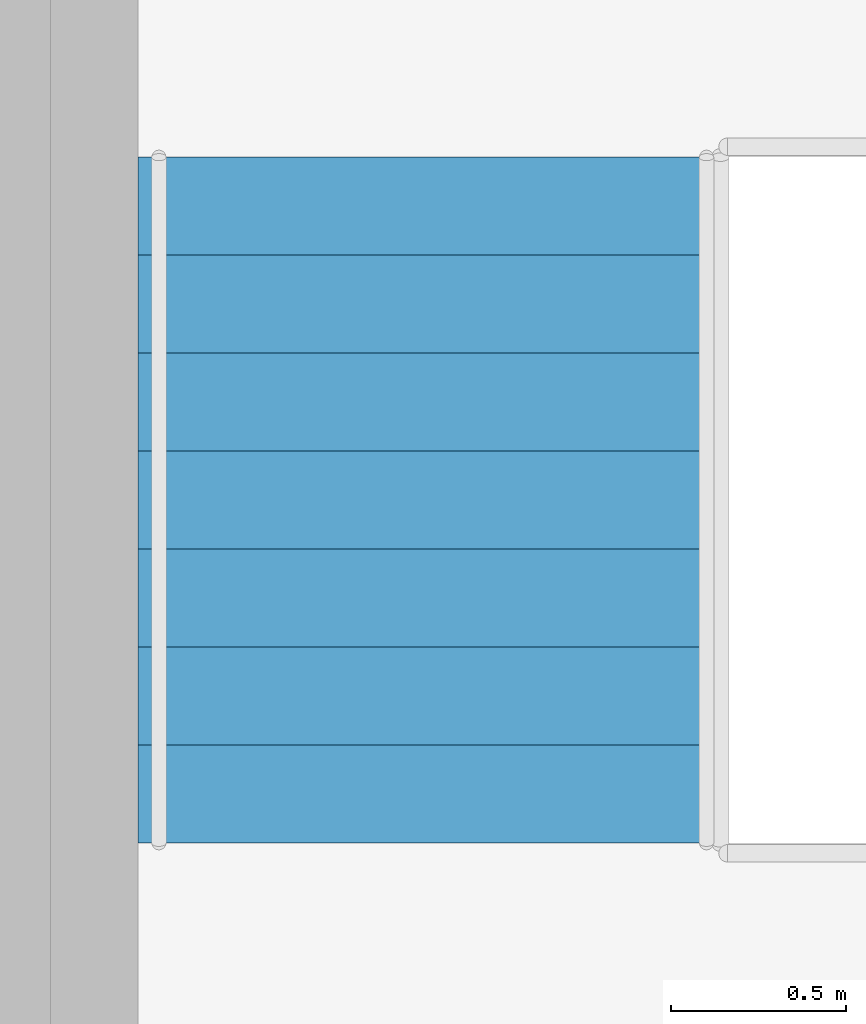
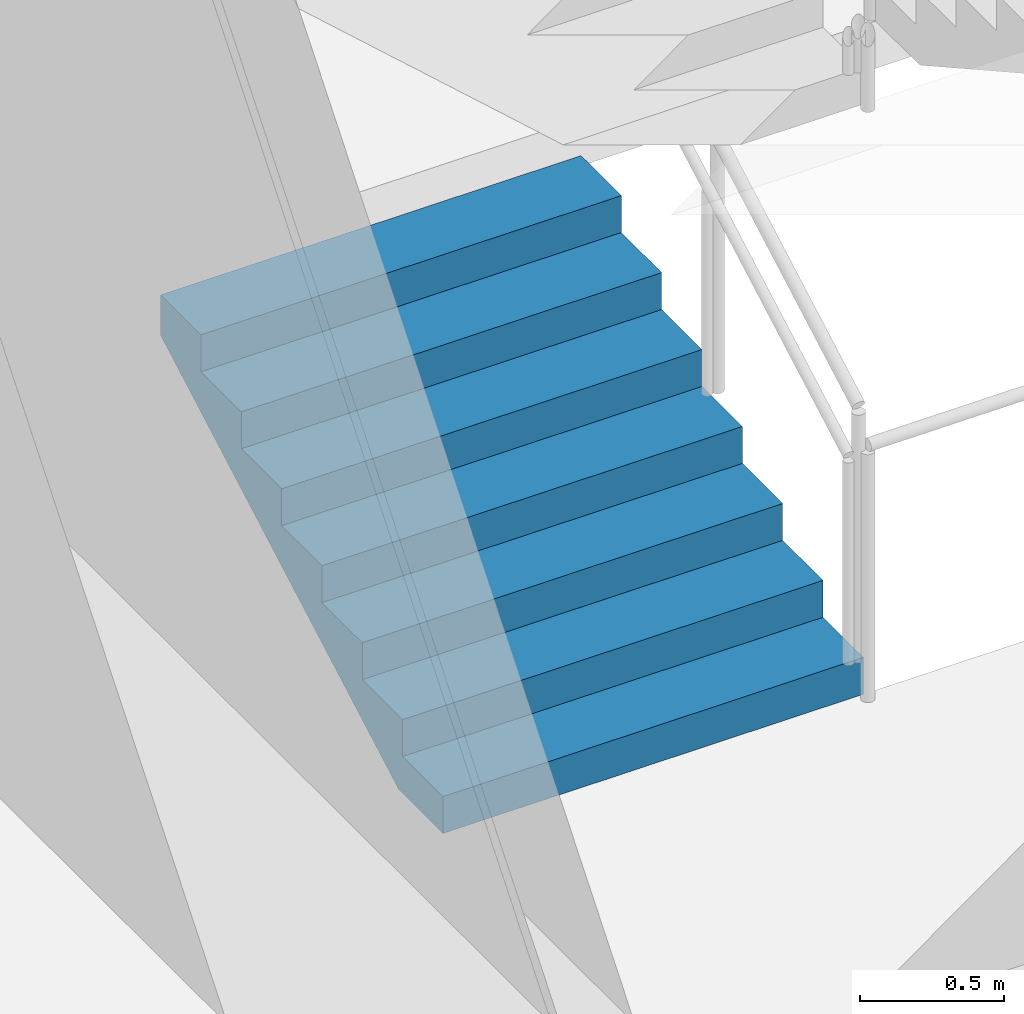
# One storey, part 32 of 37: 1 stair flight, 1 element without a shape of its own.
"""IFC4 building model written with IfcOpenShell, lengths in metres."""

from ifc_helpers import new_model, si_unit, direction, frame, origin, place, context, subcontext, project, spatial, triangles, material, type_object, element, aggregate, save


model = new_model("IFC4")

# Units and contexts
model_context = context("Model", 3, precision=1e-05, world=origin(), true_north=direction((0.0, 1.0)))
body_context = subcontext(model_context, "Body", "Model", "MODEL_VIEW")
ifc_project = project(units=[si_unit("LENGTHUNIT", "METRE"), si_unit("AREAUNIT", "SQUARE_METRE"), si_unit("VOLUMEUNIT", "CUBIC_METRE"), si_unit("PLANEANGLEUNIT", "RADIAN"), si_unit("MASSUNIT", "GRAM", prefix="KILO")], contexts=[model_context])

# Site, building, storey
site_placement = place(None, origin())
site = spatial("IfcSite", under=ifc_project, at=site_placement, CompositionType="ELEMENT")
building_placement = place(site_placement, origin())
building = spatial("IfcBuilding", under=site, at=building_placement, Name="Orbita Commons", CompositionType="ELEMENT")
storey_placement = place(building_placement, frame((0.0, 0.0, 6.0)))
storey = spatial("IfcBuildingStorey", under=building, at=storey_placement, Name="L01", CompositionType="ELEMENT", Elevation=6.0)

# Stair, stair flight
ifc_material_1 = material(Name="Precast concrete C40/50", Category="concrete")
stair_type = type_object("IfcStairType", Name="Podium exit stair 4 flights 8 risers 156", PredefinedType="HALF_TURN_STAIR", material=ifc_material_1)
stair_placement = place(storey_placement, origin())
stair = element("IfcStair", 1, at=stair_placement, inside=storey, type_object=stair_type, Name="Podium exit stair PS2 L01", PredefinedType="HALF_TURN_STAIR")
ifc_material_2 = material(Name="Precast concrete C40/50", Category="concrete")
stair_flight_type = type_object("IfcStairFlightType", Name="Podium stair flight 8 risers 156 x 1685", PredefinedType="STRAIGHT", material=ifc_material_2)
stair_flight_placement = place(storey_placement, frame((73.5673828125, 29.820068359375, 0.0), z_axis=(0.0, 0.0, 1.0), x_axis=(0.0, 1.0, 0.0)))
stair_flight = element("IfcStairFlight", 2, at=stair_flight_placement, type_object=stair_flight_type, Name="PS2 flight 1", NumberOfRisers=8, NumberOfTreads=7, PredefinedType="STRAIGHT", RiserHeight=0.15625, TreadLength=0.28, context=body_context, shape_type="Tessellation", body=[
    triangles([(0.0, 0.842529, 0.0), (0.0, 0.842529, 0.019531), (0.0, 0.702108, 0.019531), (0.0, 0.702108, 0.0), (0.0, 0.561686, 0.019531), (0.0, 0.561686, 0.0), (0.0, 0.421265, 0.019531), (0.0, 0.421265, 0.0), (0.0, 0.280843, 0.019531), (0.0, 0.280843, 0.0), (0.0, 0.140422, 0.019531), (0.0, 0.140422, 0.0), (0.0, 0.0, 0.019531), (0.0, 0.0, 0.0), (0.0, -0.140422, 0.019531), (0.0, -0.140422, 0.0), (0.0, -0.280843, 0.019531), (0.0, -0.280843, 0.0), (0.0, -0.421265, 0.019531), (0.0, -0.421265, 0.0), (0.0, -0.561686, 0.019531), (0.0, -0.561686, 0.0), (0.0, -0.702108, 0.019531), (0.0, -0.702108, 0.0), (0.0, -0.842529, 0.019531), (0.0, -0.842529, 0.0), (0.0, 0.842529, 0.039062), (0.0, 0.702108, 0.039062), (0.0, 0.561686, 0.039062), (0.0, 0.421265, 0.039062), (0.0, 0.280843, 0.039062), (0.0, 0.140422, 0.039062), (0.0, 0.0, 0.039062), (0.0, -0.140422, 0.039062), (0.0, -0.280843, 0.039062), (0.0, -0.421265, 0.039062), (0.0, -0.561686, 0.039062), (0.0, -0.702108, 0.039062), (0.0, -0.842529, 0.039062), (0.0, 0.842529, 0.058594), (0.0, 0.702108, 0.058594), (0.0, 0.561686, 0.058594), (0.0, 0.421265, 0.058594), (0.0, 0.280843, 0.058594), (0.0, 0.140422, 0.058594), (0.0, 0.0, 0.058594), (0.0, -0.140422, 0.058594), (0.0, -0.280843, 0.058594), (0.0, -0.421265, 0.058594), (0.0, -0.561686, 0.058594), (0.0, -0.702108, 0.058594), (0.0, -0.842529, 0.058594), (0.0, 0.842529, 0.078125), (0.0, 0.702108, 0.078125), (0.0, 0.561686, 0.078125), (0.0, 0.421265, 0.078125), (0.0, 0.280843, 0.078125), (0.0, 0.140422, 0.078125), (0.0, 0.0, 0.078125), (0.0, -0.140422, 0.078125), (0.0, -0.280843, 0.078125), (0.0, -0.421265, 0.078125), (0.0, -0.561686, 0.078125), (0.0, -0.702108, 0.078125), (0.0, -0.842529, 0.078125), (0.0, 0.842529, 0.097656), (0.0, 0.702108, 0.097656), (0.0, 0.561686, 0.097656), (0.0, 0.421265, 0.097656), (0.0, 0.280843, 0.097656), (0.0, 0.140422, 0.097656), (0.0, 0.0, 0.097656), (0.0, -0.140422, 0.097656), (0.0, -0.280843, 0.097656), (0.0, -0.421265, 0.097656), (0.0, -0.561686, 0.097656), (0.0, -0.702108, 0.097656), (0.0, -0.842529, 0.097656), (0.0, 0.842529, 0.117188), (0.0, 0.702108, 0.117188), (0.0, 0.561686, 0.117188), (0.0, 0.421265, 0.117188), (0.0, 0.280843, 0.117188), (0.0, 0.140422, 0.117188), (0.0, 0.0, 0.117188), (0.0, -0.140422, 0.117188), (0.0, -0.280843, 0.117188), (0.0, -0.421265, 0.117188), (0.0, -0.561686, 0.117188), (0.0, -0.702108, 0.117188), (0.0, -0.842529, 0.117188), (0.0, 0.842529, 0.136719), (0.0, 0.702108, 0.136719), (0.0, 0.561686, 0.136719), (0.0, 0.421265, 0.136719), (0.0, 0.280843, 0.136719), (0.0, 0.140422, 0.136719), (0.0, 0.0, 0.136719), (0.0, -0.140422, 0.136719), (0.0, -0.280843, 0.136719), (0.0, -0.421265, 0.136719), (0.0, -0.561686, 0.136719), (0.0, -0.702108, 0.136719), (0.0, -0.842529, 0.136719), (0.0, 0.842529, 0.15625), (0.0, 0.702108, 0.15625), (0.0, 0.561686, 0.15625), (0.0, 0.421265, 0.15625), (0.0, 0.280843, 0.15625), (0.0, 0.140422, 0.15625), (0.0, 0.0, 0.15625), (0.0, -0.140422, 0.15625), (0.0, -0.280843, 0.15625), (0.0, -0.421265, 0.15625), (0.0, -0.561686, 0.15625), (0.0, -0.702108, 0.15625), (0.0, -0.842529, 0.15625), (0.28, 0.842529, 0.15625), (0.28, 0.702108, 0.15625), (0.28, 0.561686, 0.15625), (0.28, 0.421265, 0.15625), (0.28, 0.280843, 0.15625), (0.28, 0.140422, 0.15625), (0.28, 0.0, 0.15625), (0.28, -0.140422, 0.15625), (0.28, -0.280843, 0.15625), (0.28, -0.421265, 0.15625), (0.28, -0.561686, 0.15625), (0.28, -0.702108, 0.15625), (0.28, -0.842529, 0.15625), (0.28, 0.842529, 0.3125), (0.28, 0.702108, 0.3125), (0.28, 0.561686, 0.3125), (0.28, 0.421265, 0.3125), (0.28, 0.280843, 0.3125), (0.28, 0.140422, 0.3125), (0.28, 0.0, 0.3125), (0.28, -0.140422, 0.3125), (0.28, -0.280843, 0.3125), (0.28, -0.421265, 0.3125), (0.28, -0.561686, 0.3125), (0.28, -0.702108, 0.3125), (0.28, -0.842529, 0.3125), (0.56, 0.842529, 0.3125), (0.56, 0.702108, 0.3125), (0.56, 0.561686, 0.3125), (0.56, 0.421265, 0.3125), (0.56, 0.280843, 0.3125), (0.56, 0.140422, 0.3125), (0.56, 0.0, 0.3125), (0.56, -0.140422, 0.3125), (0.56, -0.280843, 0.3125), (0.56, -0.421265, 0.3125), (0.56, -0.561686, 0.3125), (0.56, -0.702108, 0.3125), (0.56, -0.842529, 0.3125), (0.56, 0.842529, 0.46875), (0.56, 0.702108, 0.46875), (0.56, 0.561686, 0.46875), (0.56, 0.421265, 0.46875), (0.56, 0.280843, 0.46875), (0.56, 0.140422, 0.46875), (0.56, 0.0, 0.46875), (0.56, -0.140422, 0.46875), (0.56, -0.280843, 0.46875), (0.56, -0.421265, 0.46875), (0.56, -0.561686, 0.46875), (0.56, -0.702108, 0.46875), (0.56, -0.842529, 0.46875), (0.84, 0.842529, 0.46875), (0.84, 0.702108, 0.46875), (0.84, 0.561686, 0.46875), (0.84, 0.421265, 0.46875), (0.84, 0.280843, 0.46875), (0.84, 0.140422, 0.46875), (0.84, 0.0, 0.46875), (0.84, -0.140422, 0.46875), (0.84, -0.280843, 0.46875), (0.84, -0.421265, 0.46875), (0.84, -0.561686, 0.46875), (0.84, -0.702108, 0.46875), (0.84, -0.842529, 0.46875), (0.84, 0.842529, 0.625), (0.84, 0.702108, 0.625), (0.84, 0.561686, 0.625), (0.84, 0.421265, 0.625), (0.84, 0.280843, 0.625), (0.84, 0.140422, 0.625), (0.84, 0.0, 0.625), (0.84, -0.140422, 0.625), (0.84, -0.280843, 0.625), (0.84, -0.421265, 0.625), (0.84, -0.561686, 0.625), (0.84, -0.702108, 0.625), (0.84, -0.842529, 0.625), (1.12, 0.842529, 0.625), (1.12, 0.702108, 0.625), (1.12, 0.561686, 0.625), (1.12, 0.421265, 0.625), (1.12, 0.280843, 0.625), (1.12, 0.140422, 0.625), (1.12, 0.0, 0.625), (1.12, -0.140422, 0.625), (1.12, -0.280843, 0.625), (1.12, -0.421265, 0.625), (1.12, -0.561686, 0.625), (1.12, -0.702108, 0.625), (1.12, -0.842529, 0.625), (1.12, 0.842529, 0.78125), (1.12, 0.702108, 0.78125), (1.12, 0.561686, 0.78125), (1.12, 0.421265, 0.78125), (1.12, 0.280843, 0.78125), (1.12, 0.140422, 0.78125), (1.12, 0.0, 0.78125), (1.12, -0.140422, 0.78125), (1.12, -0.280843, 0.78125), (1.12, -0.421265, 0.78125), (1.12, -0.561686, 0.78125), (1.12, -0.702108, 0.78125), (1.12, -0.842529, 0.78125), (1.4, 0.842529, 0.78125), (1.4, 0.702108, 0.78125), (1.4, 0.561686, 0.78125), (1.4, 0.421265, 0.78125), (1.4, 0.280843, 0.78125), (1.4, 0.140422, 0.78125), (1.4, 0.0, 0.78125), (1.4, -0.140422, 0.78125), (1.4, -0.280843, 0.78125), (1.4, -0.421265, 0.78125), (1.4, -0.561686, 0.78125), (1.4, -0.702108, 0.78125), (1.4, -0.842529, 0.78125), (1.4, 0.842529, 0.9375), (1.4, 0.702108, 0.9375), (1.4, 0.561686, 0.9375), (1.4, 0.421265, 0.9375), (1.4, 0.280843, 0.9375), (1.4, 0.140422, 0.9375), (1.4, 0.0, 0.9375), (1.4, -0.140422, 0.9375), (1.4, -0.280843, 0.9375), (1.4, -0.421265, 0.9375), (1.4, -0.561686, 0.9375), (1.4, -0.702108, 0.9375), (1.4, -0.842529, 0.9375), (1.68, 0.842529, 0.9375), (1.68, 0.702108, 0.9375), (1.68, 0.561686, 0.9375), (1.68, 0.421265, 0.9375), (1.68, 0.280843, 0.9375), (1.68, 0.140422, 0.9375), (1.68, 0.0, 0.9375), (1.68, -0.140422, 0.9375), (1.68, -0.280843, 0.9375), (1.68, -0.421265, 0.9375), (1.68, -0.561686, 0.9375), (1.68, -0.702108, 0.9375), (1.68, -0.842529, 0.9375), (1.68, 0.842529, 1.09375), (1.68, 0.702108, 1.09375), (1.68, 0.561686, 1.09375), (1.68, 0.421265, 1.09375), (1.68, 0.280843, 1.09375), (1.68, 0.140422, 1.09375), (1.68, 0.0, 1.09375), (1.68, -0.140422, 1.09375), (1.68, -0.280843, 1.09375), (1.68, -0.421265, 1.09375), (1.68, -0.561686, 1.09375), (1.68, -0.702108, 1.09375), (1.68, -0.842529, 1.09375), (1.96, 0.842529, 1.09375), (1.96, 0.702108, 1.09375), (1.96, 0.561686, 1.09375), (1.96, 0.421265, 1.09375), (1.96, 0.280843, 1.09375), (1.96, 0.140422, 1.09375), (1.96, 0.0, 1.09375), (1.96, -0.140422, 1.09375), (1.96, -0.280843, 1.09375), (1.96, -0.421265, 1.09375), (1.96, -0.561686, 1.09375), (1.96, -0.702108, 1.09375), (1.96, -0.842529, 1.09375), (1.96, 0.842529, 1.072292), (1.96, 0.702108, 1.072292), (1.96, 0.561686, 1.072292), (1.96, 0.421265, 1.072292), (1.96, 0.280843, 1.072292), (1.96, 0.140422, 1.072292), (1.96, 0.0, 1.072292), (1.96, -0.140422, 1.072292), (1.96, -0.280843, 1.072292), (1.96, -0.421265, 1.072292), (1.96, -0.561686, 1.072292), (1.96, -0.702108, 1.072292), (1.96, -0.842529, 1.072292), (1.96, 0.842529, 1.050834), (1.96, 0.702108, 1.050834), (1.96, 0.561686, 1.050834), (1.96, 0.421265, 1.050834), (1.96, 0.280843, 1.050834), (1.96, 0.140422, 1.050834), (1.96, 0.0, 1.050834), (1.96, -0.140422, 1.050834), (1.96, -0.280843, 1.050834), (1.96, -0.421265, 1.050834), (1.96, -0.561686, 1.050834), (1.96, -0.702108, 1.050834), (1.96, -0.842529, 1.050834), (1.96, 0.842529, 1.029376), (1.96, 0.702108, 1.029376), (1.96, 0.561686, 1.029376), (1.96, 0.421265, 1.029376), (1.96, 0.280843, 1.029376), (1.96, 0.140422, 1.029376), (1.96, 0.0, 1.029376), (1.96, -0.140422, 1.029376), (1.96, -0.280843, 1.029376), (1.96, -0.421265, 1.029376), (1.96, -0.561686, 1.029376), (1.96, -0.702108, 1.029376), (1.96, -0.842529, 1.029376), (1.96, 0.842529, 1.007919), (1.96, 0.702108, 1.007919), (1.96, 0.561686, 1.007919), (1.96, 0.421265, 1.007919), (1.96, 0.280843, 1.007919), (1.96, 0.140422, 1.007919), (1.96, 0.0, 1.007919), (1.96, -0.140422, 1.007919), (1.96, -0.280843, 1.007919), (1.96, -0.421265, 1.007919), (1.96, -0.561686, 1.007919), (1.96, -0.702108, 1.007919), (1.96, -0.842529, 1.007919), (1.96, 0.842529, 0.986461), (1.96, 0.702108, 0.986461), (1.96, 0.561686, 0.986461), (1.96, 0.421265, 0.986461), (1.96, 0.280843, 0.986461), (1.96, 0.140422, 0.986461), (1.96, 0.0, 0.986461), (1.96, -0.140422, 0.986461), (1.96, -0.280843, 0.986461), (1.96, -0.421265, 0.986461), (1.96, -0.561686, 0.986461), (1.96, -0.702108, 0.986461), (1.96, -0.842529, 0.986461), (1.96, 0.842529, 0.965003), (1.96, 0.702108, 0.965003), (1.96, 0.561686, 0.965003), (1.96, 0.421265, 0.965003), (1.96, 0.280843, 0.965003), (1.96, 0.140422, 0.965003), (1.96, 0.0, 0.965003), (1.96, -0.140422, 0.965003), (1.96, -0.280843, 0.965003), (1.96, -0.421265, 0.965003), (1.96, -0.561686, 0.965003), (1.96, -0.702108, 0.965003), (1.96, -0.842529, 0.965003), (1.96, 0.842529, 0.943545), (1.96, 0.702108, 0.943545), (1.96, 0.561686, 0.943545), (1.96, 0.421265, 0.943545), (1.96, 0.280843, 0.943545), (1.96, 0.140422, 0.943545), (1.96, 0.0, 0.943545), (1.96, -0.140422, 0.943545), (1.96, -0.280843, 0.943545), (1.96, -0.421265, 0.943545), (1.96, -0.561686, 0.943545), (1.96, -0.702108, 0.943545), (1.96, -0.842529, 0.943545), (1.96, 0.842529, 0.922087), (1.96, 0.702108, 0.922087), (1.96, 0.561686, 0.922087), (1.96, 0.421265, 0.922087), (1.96, 0.280843, 0.922087), (1.96, 0.140422, 0.922087), (1.96, 0.0, 0.922087), (1.96, -0.140422, 0.922087), (1.96, -0.280843, 0.922087), (1.96, -0.421265, 0.922087), (1.96, -0.561686, 0.922087), (1.96, -0.702108, 0.922087), (1.96, -0.842529, 0.922087), (0.30762, 0.842529, 0.0), (0.30762, 0.702108, 0.0), (0.30762, 0.561686, 0.0), (0.30762, 0.421265, 0.0), (0.30762, 0.280843, 0.0), (0.30762, 0.140422, 0.0), (0.30762, 0.0, 0.0), (0.30762, -0.140422, 0.0), (0.30762, -0.280843, 0.0), (0.30762, -0.421265, 0.0), (0.30762, -0.561686, 0.0), (0.30762, -0.702108, 0.0), (0.30762, -0.842529, 0.0)], [[3, 2, 1], [4, 3, 1], [5, 3, 4], [6, 5, 4], [7, 5, 6], [8, 7, 6], [9, 7, 8], [10, 9, 8], [11, 9, 10], [12, 11, 10], [13, 11, 12], [14, 13, 12], [15, 13, 14], [16, 15, 14], [17, 15, 16], [18, 17, 16], [19, 17, 18], [20, 19, 18], [21, 19, 20], [22, 21, 20], [23, 21, 22], [24, 23, 22], [25, 23, 24], [26, 25, 24], [28, 27, 2], [3, 28, 2], [29, 28, 3], [5, 29, 3], [30, 29, 5], [7, 30, 5], [31, 30, 7], [9, 31, 7], [32, 31, 9], [11, 32, 9], [33, 32, 11], [13, 33, 11], [34, 33, 13], [15, 34, 13], [35, 34, 15], [17, 35, 15], [36, 35, 17], [19, 36, 17], [37, 36, 19], [21, 37, 19], [38, 37, 21], [23, 38, 21], [39, 38, 23], [25, 39, 23], [41, 40, 27], [28, 41, 27], [42, 41, 28], [29, 42, 28], [43, 42, 29], [30, 43, 29], [44, 43, 30], [31, 44, 30], [45, 44, 31], [32, 45, 31], [46, 45, 32], [33, 46, 32], [47, 46, 33], [34, 47, 33], [48, 47, 34], [35, 48, 34], [49, 48, 35], [36, 49, 35], [50, 49, 36], [37, 50, 36], [51, 50, 37], [38, 51, 37], [52, 51, 38], [39, 52, 38], [54, 53, 40], [41, 54, 40], [55, 54, 41], [42, 55, 41], [56, 55, 42], [43, 56, 42], [57, 56, 43], [44, 57, 43], [58, 57, 44], [45, 58, 44], [59, 58, 45], [46, 59, 45], [60, 59, 46], [47, 60, 46], [61, 60, 47], [48, 61, 47], [62, 61, 48], [49, 62, 48], [63, 62, 49], [50, 63, 49], [64, 63, 50], [51, 64, 50], [65, 64, 51], [52, 65, 51], [67, 66, 53], [54, 67, 53], [68, 67, 54], [55, 68, 54], [69, 68, 55], [56, 69, 55], [70, 69, 56], [57, 70, 56], [71, 70, 57], [58, 71, 57], [72, 71, 58], [59, 72, 58], [73, 72, 59], [60, 73, 59], [74, 73, 60], [61, 74, 60], [75, 74, 61], [62, 75, 61], [76, 75, 62], [63, 76, 62], [77, 76, 63], [64, 77, 63], [78, 77, 64], [65, 78, 64], [80, 79, 66], [67, 80, 66], [81, 80, 67], [68, 81, 67], [82, 81, 68], [69, 82, 68], [83, 82, 69], [70, 83, 69], [84, 83, 70], [71, 84, 70], [85, 84, 71], [72, 85, 71], [86, 85, 72], [73, 86, 72], [87, 86, 73], [74, 87, 73], [88, 87, 74], [75, 88, 74], [89, 88, 75], [76, 89, 75], [90, 89, 76], [77, 90, 76], [91, 90, 77], [78, 91, 77], [93, 92, 79], [80, 93, 79], [94, 93, 80], [81, 94, 80], [95, 94, 81], [82, 95, 81], [96, 95, 82], [83, 96, 82], [97, 96, 83], [84, 97, 83], [98, 97, 84], [85, 98, 84], [99, 98, 85], [86, 99, 85], [100, 99, 86], [87, 100, 86], [101, 100, 87], [88, 101, 87], [102, 101, 88], [89, 102, 88], [103, 102, 89], [90, 103, 89], [104, 103, 90], [91, 104, 90], [106, 105, 92], [93, 106, 92], [107, 106, 93], [94, 107, 93], [108, 107, 94], [95, 108, 94], [109, 108, 95], [96, 109, 95], [110, 109, 96], [97, 110, 96], [111, 110, 97], [98, 111, 97], [112, 111, 98], [99, 112, 98], [113, 112, 99], [100, 113, 99], [114, 113, 100], [101, 114, 100], [115, 114, 101], [102, 115, 101], [116, 115, 102], [103, 116, 102], [117, 116, 103], [104, 117, 103], [119, 118, 105], [106, 119, 105], [120, 119, 106], [107, 120, 106], [121, 120, 107], [108, 121, 107], [122, 121, 108], [109, 122, 108], [123, 122, 109], [110, 123, 109], [124, 123, 110], [111, 124, 110], [125, 124, 111], [112, 125, 111], [126, 125, 112], [113, 126, 112], [127, 126, 113], [114, 127, 113], [128, 127, 114], [115, 128, 114], [129, 128, 115], [116, 129, 115], [130, 129, 116], [117, 130, 116], [132, 131, 118], [119, 132, 118], [133, 132, 119], [120, 133, 119], [134, 133, 120], [121, 134, 120], [135, 134, 121], [122, 135, 121], [136, 135, 122], [123, 136, 122], [137, 136, 123], [124, 137, 123], [138, 137, 124], [125, 138, 124], [139, 138, 125], [126, 139, 125], [140, 139, 126], [127, 140, 126], [141, 140, 127], [128, 141, 127], [142, 141, 128], [129, 142, 128], [143, 142, 129], [130, 143, 129], [145, 144, 131], [132, 145, 131], [146, 145, 132], [133, 146, 132], [147, 146, 133], [134, 147, 133], [148, 147, 134], [135, 148, 134], [149, 148, 135], [136, 149, 135], [150, 149, 136], [137, 150, 136], [151, 150, 137], [138, 151, 137], [152, 151, 138], [139, 152, 138], [153, 152, 139], [140, 153, 139], [154, 153, 140], [141, 154, 140], [155, 154, 141], [142, 155, 141], [156, 155, 142], [143, 156, 142], [158, 157, 144], [145, 158, 144], [159, 158, 145], [146, 159, 145], [160, 159, 146], [147, 160, 146], [161, 160, 147], [148, 161, 147], [162, 161, 148], [149, 162, 148], [163, 162, 149], [150, 163, 149], [164, 163, 150], [151, 164, 150], [165, 164, 151], [152, 165, 151], [166, 165, 152], [153, 166, 152], [167, 166, 153], [154, 167, 153], [168, 167, 154], [155, 168, 154], [169, 168, 155], [156, 169, 155], [171, 170, 157], [158, 171, 157], [172, 171, 158], [159, 172, 158], [173, 172, 159], [160, 173, 159], [174, 173, 160], [161, 174, 160], [175, 174, 161], [162, 175, 161], [176, 175, 162], [163, 176, 162], [177, 176, 163], [164, 177, 163], [178, 177, 164], [165, 178, 164], [179, 178, 165], [166, 179, 165], [180, 179, 166], [167, 180, 166], [181, 180, 167], [168, 181, 167], [182, 181, 168], [169, 182, 168], [184, 183, 170], [171, 184, 170], [185, 184, 171], [172, 185, 171], [186, 185, 172], [173, 186, 172], [187, 186, 173], [174, 187, 173], [188, 187, 174], [175, 188, 174], [189, 188, 175], [176, 189, 175], [190, 189, 176], [177, 190, 176], [191, 190, 177], [178, 191, 177], [192, 191, 178], [179, 192, 178], [193, 192, 179], [180, 193, 179], [194, 193, 180], [181, 194, 180], [195, 194, 181], [182, 195, 181], [197, 196, 183], [184, 197, 183], [198, 197, 184], [185, 198, 184], [199, 198, 185], [186, 199, 185], [200, 199, 186], [187, 200, 186], [201, 200, 187], [188, 201, 187], [202, 201, 188], [189, 202, 188], [203, 202, 189], [190, 203, 189], [204, 203, 190], [191, 204, 190], [205, 204, 191], [192, 205, 191], [206, 205, 192], [193, 206, 192], [207, 206, 193], [194, 207, 193], [208, 207, 194], [195, 208, 194], [210, 209, 196], [197, 210, 196], [211, 210, 197], [198, 211, 197], [212, 211, 198], [199, 212, 198], [213, 212, 199], [200, 213, 199], [214, 213, 200], [201, 214, 200], [215, 214, 201], [202, 215, 201], [216, 215, 202], [203, 216, 202], [217, 216, 203], [204, 217, 203], [218, 217, 204], [205, 218, 204], [219, 218, 205], [206, 219, 205], [220, 219, 206], [207, 220, 206], [221, 220, 207], [208, 221, 207], [223, 222, 209], [210, 223, 209], [224, 223, 210], [211, 224, 210], [225, 224, 211], [212, 225, 211], [226, 225, 212], [213, 226, 212], [227, 226, 213], [214, 227, 213], [228, 227, 214], [215, 228, 214], [229, 228, 215], [216, 229, 215], [230, 229, 216], [217, 230, 216], [231, 230, 217], [218, 231, 217], [232, 231, 218], [219, 232, 218], [233, 232, 219], [220, 233, 219], [234, 233, 220], [221, 234, 220], [236, 235, 222], [223, 236, 222], [237, 236, 223], [224, 237, 223], [238, 237, 224], [225, 238, 224], [239, 238, 225], [226, 239, 225], [240, 239, 226], [227, 240, 226], [241, 240, 227], [228, 241, 227], [242, 241, 228], [229, 242, 228], [243, 242, 229], [230, 243, 229], [244, 243, 230], [231, 244, 230], [245, 244, 231], [232, 245, 231], [246, 245, 232], [233, 246, 232], [247, 246, 233], [234, 247, 233], [249, 248, 235], [236, 249, 235], [250, 249, 236], [237, 250, 236], [251, 250, 237], [238, 251, 237], [252, 251, 238], [239, 252, 238], [253, 252, 239], [240, 253, 239], [254, 253, 240], [241, 254, 240], [255, 254, 241], [242, 255, 241], [256, 255, 242], [243, 256, 242], [257, 256, 243], [244, 257, 243], [258, 257, 244], [245, 258, 244], [259, 258, 245], [246, 259, 245], [260, 259, 246], [247, 260, 246], [262, 261, 248], [249, 262, 248], [263, 262, 249], [250, 263, 249], [264, 263, 250], [251, 264, 250], [265, 264, 251], [252, 265, 251], [266, 265, 252], [253, 266, 252], [267, 266, 253], [254, 267, 253], [268, 267, 254], [255, 268, 254], [269, 268, 255], [256, 269, 255], [270, 269, 256], [257, 270, 256], [271, 270, 257], [258, 271, 257], [272, 271, 258], [259, 272, 258], [273, 272, 259], [260, 273, 259], [275, 274, 261], [262, 275, 261], [276, 275, 262], [263, 276, 262], [277, 276, 263], [264, 277, 263], [278, 277, 264], [265, 278, 264], [279, 278, 265], [266, 279, 265], [280, 279, 266], [267, 280, 266], [281, 280, 267], [268, 281, 267], [282, 281, 268], [269, 282, 268], [283, 282, 269], [270, 283, 269], [284, 283, 270], [271, 284, 270], [285, 284, 271], [272, 285, 271], [286, 285, 272], [273, 286, 272], [288, 287, 274], [275, 288, 274], [289, 288, 275], [276, 289, 275], [290, 289, 276], [277, 290, 276], [291, 290, 277], [278, 291, 277], [292, 291, 278], [279, 292, 278], [293, 292, 279], [280, 293, 279], [294, 293, 280], [281, 294, 280], [295, 294, 281], [282, 295, 281], [296, 295, 282], [283, 296, 282], [297, 296, 283], [284, 297, 283], [298, 297, 284], [285, 298, 284], [299, 298, 285], [286, 299, 285], [301, 300, 287], [288, 301, 287], [302, 301, 288], [289, 302, 288], [303, 302, 289], [290, 303, 289], [304, 303, 290], [291, 304, 290], [305, 304, 291], [292, 305, 291], [306, 305, 292], [293, 306, 292], [307, 306, 293], [294, 307, 293], [308, 307, 294], [295, 308, 294], [309, 308, 295], [296, 309, 295], [310, 309, 296], [297, 310, 296], [311, 310, 297], [298, 311, 297], [312, 311, 298], [299, 312, 298], [314, 313, 300], [301, 314, 300], [315, 314, 301], [302, 315, 301], [316, 315, 302], [303, 316, 302], [317, 316, 303], [304, 317, 303], [318, 317, 304], [305, 318, 304], [319, 318, 305], [306, 319, 305], [320, 319, 306], [307, 320, 306], [321, 320, 307], [308, 321, 307], [322, 321, 308], [309, 322, 308], [323, 322, 309], [310, 323, 309], [324, 323, 310], [311, 324, 310], [325, 324, 311], [312, 325, 311], [327, 326, 313], [314, 327, 313], [328, 327, 314], [315, 328, 314], [329, 328, 315], [316, 329, 315], [330, 329, 316], [317, 330, 316], [331, 330, 317], [318, 331, 317], [332, 331, 318], [319, 332, 318], [333, 332, 319], [320, 333, 319], [334, 333, 320], [321, 334, 320], [335, 334, 321], [322, 335, 321], [336, 335, 322], [323, 336, 322], [337, 336, 323], [324, 337, 323], [338, 337, 324], [325, 338, 324], [340, 339, 326], [327, 340, 326], [341, 340, 327], [328, 341, 327], [342, 341, 328], [329, 342, 328], [343, 342, 329], [330, 343, 329], [344, 343, 330], [331, 344, 330], [345, 344, 331], [332, 345, 331], [346, 345, 332], [333, 346, 332], [347, 346, 333], [334, 347, 333], [348, 347, 334], [335, 348, 334], [349, 348, 335], [336, 349, 335], [350, 349, 336], [337, 350, 336], [351, 350, 337], [338, 351, 337], [353, 352, 339], [340, 353, 339], [354, 353, 340], [341, 354, 340], [355, 354, 341], [342, 355, 341], [356, 355, 342], [343, 356, 342], [357, 356, 343], [344, 357, 343], [358, 357, 344], [345, 358, 344], [359, 358, 345], [346, 359, 345], [360, 359, 346], [347, 360, 346], [361, 360, 347], [348, 361, 347], [362, 361, 348], [349, 362, 348], [363, 362, 349], [350, 363, 349], [364, 363, 350], [351, 364, 350], [366, 365, 352], [353, 366, 352], [367, 366, 353], [354, 367, 353], [368, 367, 354], [355, 368, 354], [369, 368, 355], [356, 369, 355], [370, 369, 356], [357, 370, 356], [371, 370, 357], [358, 371, 357], [372, 371, 358], [359, 372, 358], [373, 372, 359], [360, 373, 359], [374, 373, 360], [361, 374, 360], [375, 374, 361], [362, 375, 361], [376, 375, 362], [363, 376, 362], [377, 376, 363], [364, 377, 363], [379, 378, 365], [366, 379, 365], [380, 379, 366], [367, 380, 366], [381, 380, 367], [368, 381, 367], [382, 381, 368], [369, 382, 368], [383, 382, 369], [370, 383, 369], [384, 383, 370], [371, 384, 370], [385, 384, 371], [372, 385, 371], [386, 385, 372], [373, 386, 372], [387, 386, 373], [374, 387, 373], [388, 387, 374], [375, 388, 374], [389, 388, 375], [376, 389, 375], [390, 389, 376], [377, 390, 376], [392, 391, 378], [379, 392, 378], [393, 392, 379], [380, 393, 379], [394, 393, 380], [381, 394, 380], [395, 394, 381], [382, 395, 381], [396, 395, 382], [383, 396, 382], [397, 396, 383], [384, 397, 383], [398, 397, 384], [385, 398, 384], [399, 398, 385], [386, 399, 385], [400, 399, 386], [387, 400, 386], [401, 400, 387], [388, 401, 387], [402, 401, 388], [389, 402, 388], [403, 402, 389], [390, 403, 389], [4, 1, 391], [392, 4, 391], [6, 4, 392], [393, 6, 392], [8, 6, 393], [394, 8, 393], [10, 8, 394], [395, 10, 394], [12, 10, 395], [396, 12, 395], [14, 12, 396], [397, 14, 396], [16, 14, 397], [398, 16, 397], [18, 16, 398], [399, 18, 398], [20, 18, 399], [400, 20, 399], [22, 20, 400], [401, 22, 400], [24, 22, 401], [402, 24, 401], [26, 24, 402], [403, 26, 402], [378, 391, 1], [26, 403, 390], [365, 378, 1], [26, 390, 377], [352, 365, 1], [26, 377, 364], [339, 352, 1], [26, 364, 351], [326, 339, 1], [26, 351, 338], [313, 326, 1], [26, 338, 325], [300, 313, 1], [26, 325, 312], [287, 300, 1], [26, 312, 299], [261, 274, 287], [299, 286, 273], [248, 261, 287], [299, 273, 260], [222, 235, 248], [260, 247, 234], [222, 248, 287], [299, 260, 234], [196, 209, 222], [234, 221, 208], [196, 222, 287], [299, 234, 208], [170, 183, 196], [208, 195, 182], [170, 196, 287], [299, 208, 182], [144, 157, 170], [182, 169, 156], [144, 170, 287], [299, 182, 156], [118, 131, 144], [156, 143, 130], [118, 144, 287], [299, 156, 130], [118, 287, 1], [26, 299, 130], [92, 105, 118], [130, 117, 104], [79, 92, 118], [130, 104, 91], [66, 79, 118], [130, 91, 78], [53, 66, 118], [130, 78, 65], [40, 53, 118], [130, 65, 52], [27, 40, 118], [130, 52, 39], [2, 27, 118], [130, 39, 25], [1, 2, 118], [130, 25, 26]], closed=True),
])
aggregate(stair, [stair_flight])

save(model, "model.ifc")
